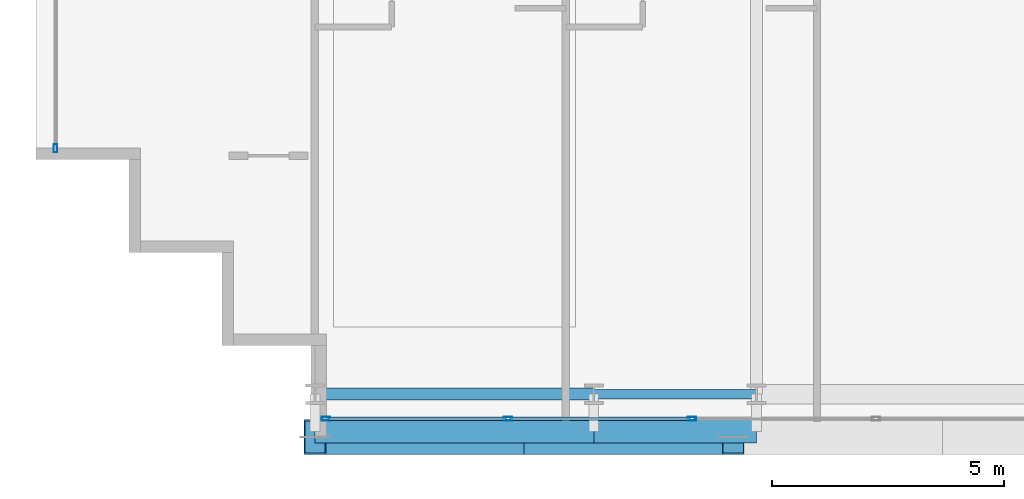
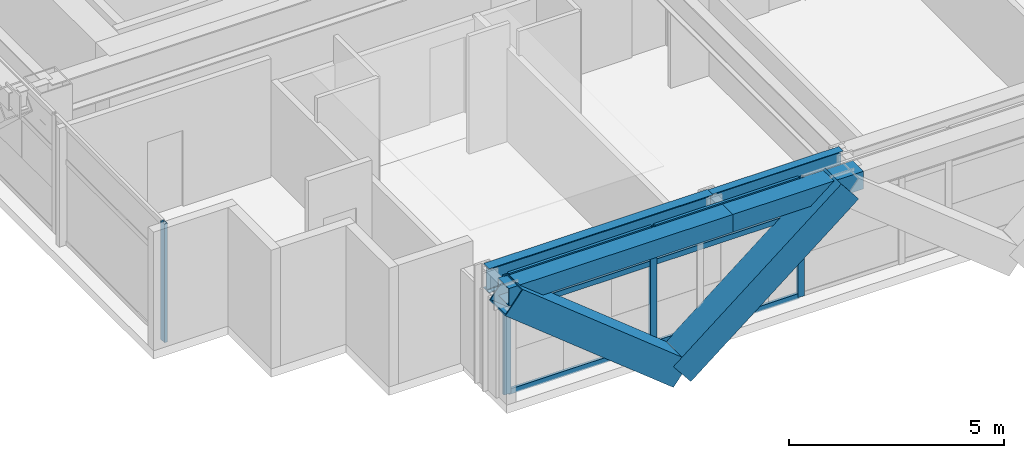
# One storey, part 2 of 35: 12 members, 4 beams, 2 elements without a shape of their own.
"""IFC4 building model written with IfcOpenShell, lengths in metres."""

from ifc_helpers import new_model, si_unit, direction, frame, origin, origin_2d, place, context, subcontext, project, spatial, hollow_rectangle, i_section, extrude, source, transform, mapped, material, layer, layer_set, material_profile, profile_set, type_object, element, aggregate, save


model = new_model("IFC4")

# Units and contexts
model_context = context("Model", 3, precision=1e-05, world=origin(), true_north=direction((0.0, 1.0)))
body_context = subcontext(model_context, "Body", "Model", "MODEL_VIEW")
ifc_project = project(units=[si_unit("LENGTHUNIT", "METRE"), si_unit("AREAUNIT", "SQUARE_METRE"), si_unit("VOLUMEUNIT", "CUBIC_METRE"), si_unit("PLANEANGLEUNIT", "RADIAN"), si_unit("MASSUNIT", "GRAM", prefix="KILO")], contexts=[model_context])

# Site, building, storey
site_placement = place(None, origin())
site = spatial("IfcSite", under=ifc_project, at=site_placement, CompositionType="ELEMENT")
building_placement = place(site_placement, origin())
building = spatial("IfcBuilding", under=site, at=building_placement, Name="Ocotamira Hotel", CompositionType="ELEMENT")
storey_placement = place(building_placement, frame((0.0, 0.0, 122.39990234375)))
storey = spatial("IfcBuildingStorey", under=building, at=storey_placement, Name="L30", CompositionType="ELEMENT", Elevation=122.39990234375)

# Beams
ifc_material_1 = material(Name="Steel ASTM A992 Grade 50", Category="steel")
ifc_material_profile_1 = material_profile(ifc_material_1, i_section(OverallWidth=0.256103515625, OverallDepth=0.693115234375, WebThickness=0.014404296875, FlangeThickness=0.023681640625, FilletRadius=0.01611328125, at=origin_2d()), Name="W27X114")
ifc_profile_set_1 = profile_set([ifc_material_profile_1], Name="Steel ASTM A992 Grade 50")
beam_type_1 = type_object("IfcBeamType", Name="BM-PRIM-W27X114", PredefinedType="BEAM", material=ifc_profile_set_1)
shared_shape_1 = source(origin(), body_context, "Body", "SweptSolid", [
    extrude(i_section(OverallWidth=0.256103515625, OverallDepth=0.693115234375, WebThickness=0.014404296875, FlangeThickness=0.023681640625, FilletRadius=0.01611328125, at=origin_2d()), origin(), (0.0, 0.0, 1.0), 6.0),
])
beam_1_placement = place(storey_placement, frame((14.0, 2.949951171875, 3.013671875), z_axis=(1.0, 0.0, 0.0), x_axis=(0.0, 1.0, 0.0)))
element("IfcBeam", 1, at=beam_1_placement, inside=storey, type_object=beam_type_1, Name="L30 Girder Y2.95 X14-20", PredefinedType="BEAM", context=body_context, shape_type="MappedRepresentation", body=[
    mapped(shared_shape_1, transform((0.0, 0.0, 0.0), scale=1.0)),
])
ifc_material_profile_2 = material_profile(ifc_material_1, i_section(OverallWidth=0.2099609375, OverallDepth=0.537109375, WebThickness=0.010986328125, FlangeThickness=0.017333984375, FilletRadius=0.012939453125, at=origin_2d()), Name="W21X68")
ifc_profile_set_2 = profile_set([ifc_material_profile_2], Name="Steel ASTM A992 Grade 50")
beam_type_2 = type_object("IfcBeamType", Name="BM-SEC-W21X68", PredefinedType="JOIST", material=ifc_profile_set_2)
shared_shape_2 = source(origin(), body_context, "Body", "SweptSolid", [
    extrude(i_section(OverallWidth=0.2099609375, OverallDepth=0.537109375, WebThickness=0.010986328125, FlangeThickness=0.017333984375, FilletRadius=0.012939453125, at=origin_2d()), origin(), (0.0, 0.0, 1.0), 3.5),
])
beam_2_placement = place(storey_placement, frame((20.0, 2.949951171875, 3.091552734375), z_axis=(1.0, 0.0, 0.0), x_axis=(0.0, 1.0, 0.0)))
element("IfcBeam", 2, at=beam_2_placement, inside=storey, type_object=beam_type_2, Name="L30 Girder Y2.95 X20-23.5", PredefinedType="JOIST", context=body_context, shape_type="MappedRepresentation", body=[
    mapped(shared_shape_2, transform((0.0, 0.0, 0.0), scale=1.0)),
])
ifc_material_2 = material(Name="Steel ASTM A500 Grade C", Category="steel")
ifc_material_profile_3 = material_profile(ifc_material_2, hollow_rectangle(XDim=0.5, YDim=0.5, WallThickness=0.02001953125, at=origin_2d()), Name="HSS500X500X20")
ifc_profile_set_3 = profile_set([ifc_material_profile_3], Name="Steel ASTM A500 Grade C")
beam_type_3 = type_object("IfcBeamType", Name="BM-SPAN-HSS500", PredefinedType="USERDEFINED", material=ifc_profile_set_3)
shared_shape_3 = source(origin(), body_context, "Body", "SweptSolid", [
    extrude(hollow_rectangle(XDim=0.5, YDim=0.5, WallThickness=0.02001953125, at=origin_2d()), origin(), (0.0, 0.0, 1.0), 6.0),
])
beam_3_placement = place(storey_placement, frame((14.0, 2.14990234375, 3.110107421875), z_axis=(1.0, 0.0, 0.0), x_axis=(0.0, 1.0, 0.0)))
element("IfcBeam", 3, at=beam_3_placement, inside=storey, type_object=beam_type_3, Name="L30 Edge Spandrel S X14-20", ObjectType="SPANDREL", PredefinedType="USERDEFINED", context=body_context, shape_type="MappedRepresentation", body=[
    mapped(shared_shape_3, transform((0.0, 0.0, 0.0), scale=1.0)),
])
shared_shape_4 = source(origin(), body_context, "Body", "SweptSolid", [
    extrude(hollow_rectangle(XDim=0.5, YDim=0.5, WallThickness=0.02001953125, at=origin_2d()), origin(), (0.0, 0.0, 1.0), 3.5),
])
beam_4_placement = place(storey_placement, frame((20.0, 2.14990234375, 3.110107421875), z_axis=(1.0, 0.0, 0.0), x_axis=(0.0, 1.0, 0.0)))
element("IfcBeam", 4, at=beam_4_placement, inside=storey, type_object=beam_type_3, Name="L30 Edge Spandrel S X20-23.5", ObjectType="SPANDREL", PredefinedType="USERDEFINED", context=body_context, shape_type="MappedRepresentation", body=[
    mapped(shared_shape_4, transform((0.0, 0.0, 0.0), scale=1.0)),
])

# Members
ifc_material_3 = material(Name="Pale-metal coated steel ASTM A913 Grade 65", Category="steel")
ifc_material_profile_4 = material_profile(ifc_material_3, hollow_rectangle(XDim=0.75, YDim=0.75, WallThickness=0.028076171875, at=origin_2d()), Name="BOX750X750X28")
ifc_profile_set_4 = profile_set([ifc_material_profile_4], Name="Pale-metal coated steel ASTM A913 Grade 65")
member_type_1 = type_object("IfcMemberType", Name="MEM-EXO-BOX750", PredefinedType="BRACE", material=ifc_profile_set_4)
shared_shape_5 = source(origin(), body_context, "Body", "SweptSolid", [
    extrude(hollow_rectangle(XDim=0.75, YDim=0.75, WallThickness=0.028076171875, at=origin_2d()), origin(), (0.0, 0.0, 1.0), 5.762939453125),
])
for number, where, z_axis, x_axis, name in (
    (5, (18.5, 2.030029296875, -0.489990234375), (-0.780860543151, 0.0, 0.624705380279), (0.0, -1.0, 0.0), "L30 Exoskeleton Diagrid S0.1"),
    (6, (18.5, 2.030029296875, -0.489990234375), (0.780860543151, 0.0, 0.624705380279), (0.0, 1.0, 0.0), "L30 Exoskeleton Diagrid S0.2"),
):
    element("IfcMember", number, at=place(storey_placement, frame(where, z_axis=z_axis, x_axis=x_axis)), inside=storey, type_object=member_type_1, Name=name, PredefinedType="BRACE", context=body_context, shape_type="MappedRepresentation", body=[
        mapped(shared_shape_5, transform((0.0, 0.0, 0.0), scale=1.0)),
    ])

# Curtain wall, members
ifc_material_4 = material(Name="Anodised pale-metal aluminium and solar glass", Category="aluminium")
ifc_layer = layer(ifc_material_4, 0.179931640625)
ifc_layer_set = layer_set([ifc_layer], Name="Anodised pale-metal aluminium and solar glass")
curtain_wall_type = type_object("IfcCurtainWallType", Name="CW-SYS3-Z2", PredefinedType="NOTDEFINED", material=ifc_layer_set)
curtain_wall_1_placement = place(storey_placement, origin())
curtain_wall_1 = element("IfcCurtainWall", 7, at=curtain_wall_1_placement, inside=storey, type_object=curtain_wall_type, Name="L30 Curtain Wall CW-3 CW-L30-S1", PredefinedType="NOTDEFINED")
ifc_material_5 = material(Name="Anodised pale-metal aluminium 6063-T6", Category="aluminium")
ifc_material_profile_5 = material_profile(ifc_material_5, hollow_rectangle(XDim=0.074951171875, YDim=0.14990234375, WallThickness=0.006103515625, at=origin_2d()), Name="HSS150X75X6")
ifc_profile_set_5 = profile_set([ifc_material_profile_5], Name="Anodised pale-metal aluminium 6063-T6")
member_type_2 = type_object("IfcMemberType", Name="CWT-150X75", PredefinedType="USERDEFINED", material=ifc_profile_set_5)
shared_shape_6 = source(origin(), body_context, "Body", "SweptSolid", [
    extrude(hollow_rectangle(XDim=0.074951171875, YDim=0.14990234375, WallThickness=0.006103515625, at=origin_2d()), origin(), (0.0, 0.0, 1.0), 3.83544921875),
])
member_1_placement = place(storey_placement, frame((14.280029296875, 2.419921875, 0.03759765625), z_axis=(1.0, 0.0, 0.0), x_axis=(0.0, 1.0, 0.0)))
member_1 = element("IfcMember", 8, at=member_1_placement, type_object=member_type_2, Name="CW-3 transom 1.1", ObjectType="TRANSOM", PredefinedType="USERDEFINED", context=body_context, shape_type="MappedRepresentation", body=[
    mapped(shared_shape_6, transform((0.0, 0.0, 0.0), scale=1.0)),
])
member_2_placement = place(storey_placement, frame((14.280029296875, 2.419921875, 2.35009765625), z_axis=(1.0, 0.0, 0.0), x_axis=(0.0, 1.0, 0.0)))
member_2 = element("IfcMember", 9, at=member_2_placement, type_object=member_type_2, Name="CW-3 transom 1.2", ObjectType="TRANSOM", PredefinedType="USERDEFINED", context=body_context, shape_type="MappedRepresentation", body=[
    mapped(shared_shape_6, transform((0.0, 0.0, 0.0), scale=1.0)),
])
member_3_placement = place(storey_placement, frame((14.280029296875, 2.419921875, 3.322509765625), z_axis=(1.0, 0.0, 0.0), x_axis=(0.0, 1.0, 0.0)))
member_3 = element("IfcMember", 10, at=member_3_placement, type_object=member_type_2, Name="CW-3 transom 1.3", ObjectType="TRANSOM", PredefinedType="USERDEFINED", context=body_context, shape_type="MappedRepresentation", body=[
    mapped(shared_shape_6, transform((0.0, 0.0, 0.0), scale=1.0)),
])
shared_shape_7 = source(origin(), body_context, "Body", "SweptSolid", [
    extrude(hollow_rectangle(XDim=0.074951171875, YDim=0.14990234375, WallThickness=0.006103515625, at=origin_2d()), origin(), (0.0, 0.0, 1.0), 3.87548828125),
])
member_4_placement = place(storey_placement, frame((18.195556640625, 2.419921875, 0.03759765625), z_axis=(1.0, 0.0, 0.0), x_axis=(0.0, 1.0, 0.0)))
member_4 = element("IfcMember", 11, at=member_4_placement, type_object=member_type_2, Name="CW-3 transom 2.1", ObjectType="TRANSOM", PredefinedType="USERDEFINED", context=body_context, shape_type="MappedRepresentation", body=[
    mapped(shared_shape_7, transform((0.0, 0.0, 0.0), scale=1.0)),
])
member_5_placement = place(storey_placement, frame((18.195556640625, 2.419921875, 2.35009765625), z_axis=(1.0, 0.0, 0.0), x_axis=(0.0, 1.0, 0.0)))
member_5 = element("IfcMember", 12, at=member_5_placement, type_object=member_type_2, Name="CW-3 transom 2.2", ObjectType="TRANSOM", PredefinedType="USERDEFINED", context=body_context, shape_type="MappedRepresentation", body=[
    mapped(shared_shape_7, transform((0.0, 0.0, 0.0), scale=1.0)),
])
member_6_placement = place(storey_placement, frame((18.195556640625, 2.419921875, 3.322509765625), z_axis=(1.0, 0.0, 0.0), x_axis=(0.0, 1.0, 0.0)))
member_6 = element("IfcMember", 13, at=member_6_placement, type_object=member_type_2, Name="CW-3 transom 2.3", ObjectType="TRANSOM", PredefinedType="USERDEFINED", context=body_context, shape_type="MappedRepresentation", body=[
    mapped(shared_shape_7, transform((0.0, 0.0, 0.0), scale=1.0)),
])
ifc_material_profile_6 = material_profile(ifc_material_5, hollow_rectangle(XDim=0.080078125, YDim=0.179931640625, WallThickness=0.006103515625, at=origin_2d()), Name="HSS180X80X6")
ifc_profile_set_6 = profile_set([ifc_material_profile_6], Name="Anodised pale-metal aluminium 6063-T6")
member_type_3 = type_object("IfcMemberType", Name="CWM-180X75", PredefinedType="MULLION", material=ifc_profile_set_6)
shared_shape_8 = source(origin(), body_context, "Body", "SweptSolid", [
    extrude(hollow_rectangle(XDim=0.080078125, YDim=0.179931640625, WallThickness=0.006103515625, at=origin_2d()), origin(), (0.0, 0.0, 1.0), 3.360107421875),
])
member_7_placement = place(storey_placement, frame((14.239990234375, 2.419921875, 0.0), z_axis=(0.0, 0.0, 1.0), x_axis=(0.0, 1.0, 0.0)))
member_7 = element("IfcMember", 14, at=member_7_placement, type_object=member_type_3, Name="CW-3 mullion 1", PredefinedType="MULLION", context=body_context, shape_type="MappedRepresentation", body=[
    mapped(shared_shape_8, transform((0.0, 0.0, 0.0), scale=1.0)),
])
member_8_placement = place(storey_placement, frame((18.155517578125, 2.419921875, 0.0), z_axis=(0.0, 0.0, 1.0), x_axis=(0.0, 1.0, 0.0)))
member_8 = element("IfcMember", 15, at=member_8_placement, type_object=member_type_3, Name="CW-3 mullion 2", PredefinedType="MULLION", context=body_context, shape_type="MappedRepresentation", body=[
    mapped(shared_shape_8, transform((0.0, 0.0, 0.0), scale=1.0)),
])
member_9_placement = place(storey_placement, frame((22.111083984375, 2.419921875, 0.0), z_axis=(0.0, 0.0, 1.0), x_axis=(0.0, 1.0, 0.0)))
member_9 = element("IfcMember", 16, at=member_9_placement, type_object=member_type_3, Name="CW-3 mullion 3", PredefinedType="MULLION", context=body_context, shape_type="MappedRepresentation", body=[
    mapped(shared_shape_8, transform((0.0, 0.0, 0.0), scale=1.0)),
])
aggregate(curtain_wall_1, [member_7, member_8, member_9, member_1, member_2, member_3, member_4, member_5, member_6])

# Curtain wall, member
curtain_wall_2_placement = place(storey_placement, origin())
curtain_wall_2 = element("IfcCurtainWall", 17, at=curtain_wall_2_placement, inside=storey, type_object=curtain_wall_type, Name="L30 Curtain Wall CW-3 CW-L30-W", PredefinedType="NOTDEFINED")
member_10_placement = place(storey_placement, frame((8.419921875, 8.239990234375, 0.0), z_axis=(0.0, 0.0, 1.0), x_axis=(-1.0, 0.0, 0.0)))
member_10 = element("IfcMember", 18, at=member_10_placement, type_object=member_type_3, Name="CW-3 mullion 1", PredefinedType="MULLION", context=body_context, shape_type="MappedRepresentation", body=[
    mapped(shared_shape_8, transform((0.0, 0.0, 0.0), scale=1.0)),
])
aggregate(curtain_wall_2, [member_10])

save(model, "model.ifc")
